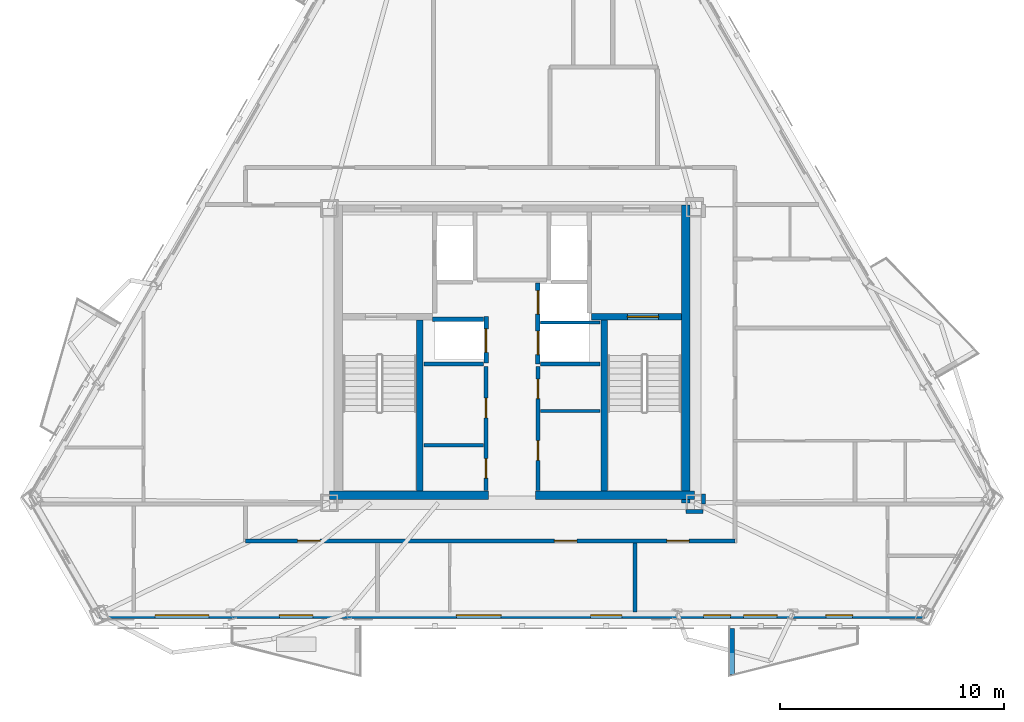
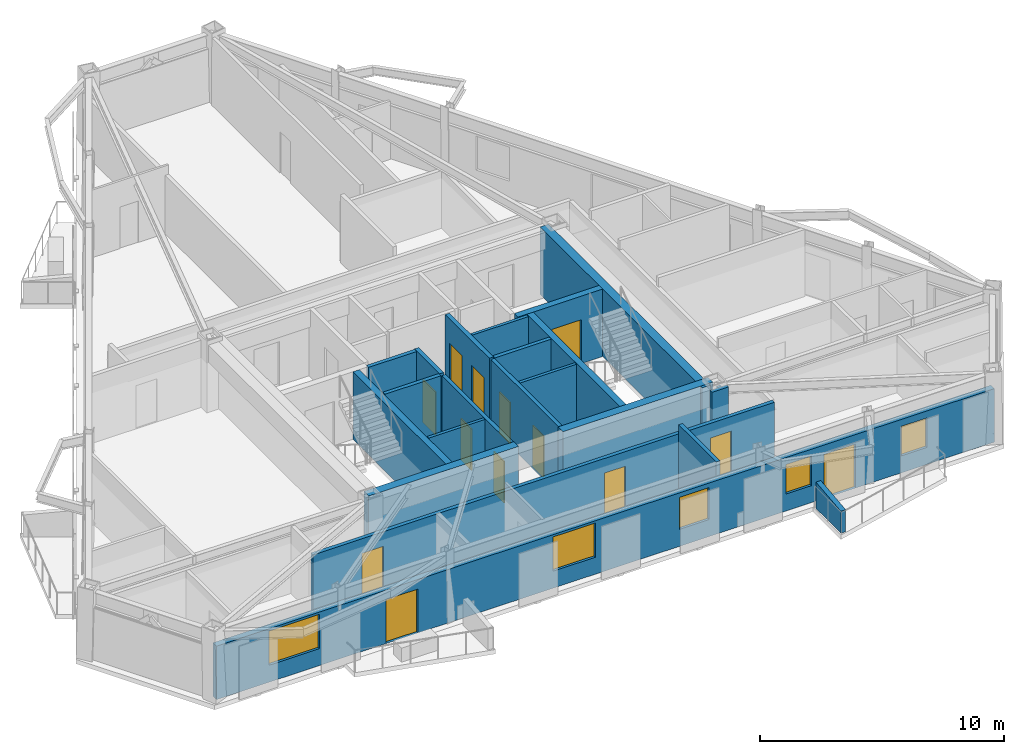
# One storey, part 3 of 9: 22 walls, 13 doors, 5 windows, 18 openings.
"""IFC4 building model written with IfcOpenShell, lengths in metres."""

from ifc_helpers import new_model, si_unit, direction, frame, frame_2d, origin, place, context, subcontext, project, spatial, polyline, rectangle, outline, extrude, material, layer, layer_set, type_object, element, fill, save


model = new_model("IFC4")

# Units and contexts
model_context = context("Model", 3, precision=1e-05, world=origin(), true_north=direction((0.0, 1.0)))
body_context = subcontext(model_context, "Body", "Model", "MODEL_VIEW")
ifc_project = project(units=[si_unit("LENGTHUNIT", "METRE"), si_unit("AREAUNIT", "SQUARE_METRE"), si_unit("VOLUMEUNIT", "CUBIC_METRE"), si_unit("PLANEANGLEUNIT", "RADIAN"), si_unit("MASSUNIT", "GRAM", prefix="KILO")], contexts=[model_context])

# Site, building, storey
site_placement = place(None, origin())
site = spatial("IfcSite", under=ifc_project, at=site_placement, CompositionType="ELEMENT")
building_placement = place(site_placement, origin())
building = spatial("IfcBuilding", under=site, at=building_placement, Name="Oramaril Tower", CompositionType="ELEMENT")
storey_placement = place(building_placement, frame((0.0, 0.0, 234.300048828125)))
storey = spatial("IfcBuildingStorey", under=building, at=storey_placement, Name="L62", CompositionType="ELEMENT", Elevation=234.300048828125)

# Wall, openings, doors, windows
ifc_material_1 = material(Name="Warm Cream Limestone", Category="masonry")
ifc_layer_1 = layer(ifc_material_1, 0.2900390625)
ifc_layer_set_1 = layer_set([ifc_layer_1], Name="WT-EXT29")
wall_type_1 = type_object("IfcWallType", Name="WT-EXT29", PredefinedType="SOLIDWALL", material=ifc_layer_set_1)
wall_1_placement = place(storey_placement, frame((19.076171875, 5.978515625, 0.0), z_axis=(0.0, 0.0, 1.0), x_axis=(1.0, 0.0, 0.0)))
wall_1 = element("IfcWall", 1, at=wall_1_placement, inside=storey, type_object=wall_type_1, Name="L62 Tower Limestone Facade Wall 2M", PredefinedType="SOLIDWALL", context=body_context, shape_type="SweptSolid", body=[
    extrude(rectangle(XDim=36.84765625, YDim=0.2900390625, at=frame_2d((18.423828125, 0.0))), origin(), (0.0, 0.0, 1.0), 2.677001953125),
])
opening_1_placement = place(wall_1_placement, frame((8.034423828125, 0.0, 0.0)))
opening_1 = element("IfcOpeningElement", 2, at=opening_1_placement, cuts=wall_1, Name="Opening D-L62-BAL-S1", PredefinedType="OPENING", context=body_context, shape_type="SweptSolid", body=[
    extrude(rectangle(XDim=1.5, YDim=2.199951171875, at=frame_2d((0.75, 1.10009765625))), frame((0.0, 0.14501953125, 0.0), z_axis=(0.0, -1.0, 0.0), x_axis=(1.0, 0.0, 0.0)), (0.0, 0.0, 1.0), 0.2900390625),
])
opening_2_placement = place(wall_1_placement, frame((28.768310546875, 0.0, 0.0)))
opening_2 = element("IfcOpeningElement", 3, at=opening_2_placement, cuts=wall_1, Name="Opening D-L62-BAL-S2", PredefinedType="OPENING", context=body_context, shape_type="SweptSolid", body=[
    extrude(rectangle(XDim=1.5, YDim=2.199951171875, at=frame_2d((0.75, 1.10009765625))), frame((0.0, 0.14501953125, 0.0), z_axis=(0.0, -1.0, 0.0), x_axis=(1.0, 0.0, 0.0)), (0.0, 0.0, 1.0), 0.2900390625),
])
opening_3_placement = place(wall_1_placement, frame((2.4814453125, 0.0, 0.85009765625)))
opening_3 = element("IfcOpeningElement", 4, at=opening_3_placement, cuts=wall_1, Name="Opening WN-03", PredefinedType="OPENING", context=body_context, shape_type="SweptSolid", body=[
    extrude(rectangle(XDim=2.39990234375, YDim=1.717041015625, at=frame_2d((1.199951171875, 0.8583984375))), frame((0.0, 0.14501953125, 0.0), z_axis=(0.0, -1.0, 0.0), x_axis=(1.0, 0.0, 0.0)), (0.0, 0.0, 1.0), 0.2900390625),
])
opening_4_placement = place(wall_1_placement, frame((15.937744140625, 0.0, 0.85009765625)))
opening_4 = element("IfcOpeningElement", 5, at=opening_4_placement, cuts=wall_1, Name="Opening WN-05", PredefinedType="OPENING", context=body_context, shape_type="SweptSolid", body=[
    extrude(rectangle(XDim=2.0, YDim=1.717041015625, at=frame_2d((1.0, 0.8583984375))), frame((0.0, 0.14501953125, 0.0), z_axis=(0.0, -1.0, 0.0), x_axis=(1.0, 0.0, 0.0)), (0.0, 0.0, 1.0), 0.2900390625),
])
opening_5_placement = place(wall_1_placement, frame((21.929931640625, 0.0, 0.85009765625)))
opening_5 = element("IfcOpeningElement", 6, at=opening_5_placement, cuts=wall_1, Name="Opening WN-08", PredefinedType="OPENING", context=body_context, shape_type="SweptSolid", body=[
    extrude(rectangle(XDim=1.39990234375, YDim=1.60009765625, at=frame_2d((0.699951171875, 0.800048828125))), frame((0.0, 0.14501953125, 0.0), z_axis=(0.0, -1.0, 0.0), x_axis=(1.0, 0.0, 0.0)), (0.0, 0.0, 1.0), 0.2900390625),
])
opening_6_placement = place(wall_1_placement, frame((26.982177734375, 0.0, 0.85009765625)))
opening_6 = element("IfcOpeningElement", 7, at=opening_6_placement, cuts=wall_1, Name="Opening WN-09", PredefinedType="OPENING", context=body_context, shape_type="SweptSolid", body=[
    extrude(rectangle(XDim=1.199951171875, YDim=1.47998046875, at=frame_2d((0.60009765625, 0.739990234375))), frame((0.0, 0.14501953125, 0.0), z_axis=(0.0, -1.0, 0.0), x_axis=(1.0, 0.0, 0.0)), (0.0, 0.0, 1.0), 0.2900390625),
])
opening_7_placement = place(wall_1_placement, frame((32.44140625, 0.0, 0.85009765625)))
opening_7 = element("IfcOpeningElement", 8, at=opening_7_placement, cuts=wall_1, Name="Opening WN-09", PredefinedType="OPENING", context=body_context, shape_type="SweptSolid", body=[
    extrude(rectangle(XDim=1.199951171875, YDim=1.47998046875, at=frame_2d((0.60009765625, 0.739990234375))), frame((0.0, 0.14501953125, 0.0), z_axis=(0.0, -1.0, 0.0), x_axis=(1.0, 0.0, 0.0)), (0.0, 0.0, 1.0), 0.2900390625),
])
ifc_material_2 = material(Name="Anodised Aluminium 6063-T6", Category="aluminium")
door_type_1 = type_object("IfcDoorType", Name="DT-BAL", OperationType="NOTDEFINED", PredefinedType="DOOR", material=ifc_material_2)
door_1_placement = place(opening_1_placement, origin())
door_1 = element("IfcDoor", 9, at=door_1_placement, inside=storey, type_object=door_type_1, Name="L62 Balcony Glazed Door L62-BAL-S1", OperationType="SINGLE_SWING_LEFT", OverallHeight=2.199951171875, OverallWidth=1.5, PredefinedType="DOOR", context=body_context, shape_type="SweptSolid", body=[
    extrude(rectangle(XDim=1.5, YDim=2.199951171875, at=frame_2d((0.75, 1.10009765625))), frame((0.0, 0.02490234375, 0.0), z_axis=(0.0, -1.0, 0.0), x_axis=(1.0, 0.0, 0.0)), (0.0, 0.0, 1.0), 0.050048828125),
])
fill(opening_1, door_1)
door_2_placement = place(opening_2_placement, origin())
door_2 = element("IfcDoor", 10, at=door_2_placement, inside=storey, type_object=door_type_1, Name="L62 Balcony Glazed Door L62-BAL-S2", OperationType="SINGLE_SWING_RIGHT", OverallHeight=2.199951171875, OverallWidth=1.5, PredefinedType="DOOR", context=body_context, shape_type="SweptSolid", body=[
    extrude(rectangle(XDim=1.5, YDim=2.199951171875, at=frame_2d((0.75, 1.10009765625))), frame((0.0, 0.02490234375, 0.0), z_axis=(0.0, -1.0, 0.0), x_axis=(1.0, 0.0, 0.0)), (0.0, 0.0, 1.0), 0.050048828125),
])
fill(opening_2, door_2)
ifc_material_3 = material(Name="Coastal Low-E Insulated Glass", Category="glass")
window_type_1 = type_object("IfcWindowType", Name="WNT-03", PartitioningType="SINGLE_PANEL", PredefinedType="WINDOW", material=ifc_material_3)
window_1_placement = place(opening_3_placement, origin())
window_1 = element("IfcWindow", 11, at=window_1_placement, inside=storey, type_object=window_type_1, Name="L62 Chicago Bay Window WN-03", OverallHeight=1.717041015625, OverallWidth=2.39990234375, PartitioningType="SINGLE_PANEL", PredefinedType="WINDOW", context=body_context, shape_type="SweptSolid", body=[
    extrude(rectangle(XDim=2.39990234375, YDim=1.717041015625, at=frame_2d((1.199951171875, 0.8583984375))), frame((0.0, 0.030029296875, 0.0), z_axis=(0.0, -1.0, 0.0), x_axis=(1.0, 0.0, 0.0)), (0.0, 0.0, 1.0), 0.06005859375),
])
fill(opening_3, window_1)
ifc_material_4 = material(Name="Coastal Low-E Insulated Glass", Category="glass")
window_type_2 = type_object("IfcWindowType", Name="WNT-05", PartitioningType="SINGLE_PANEL", PredefinedType="WINDOW", material=ifc_material_4)
window_2_placement = place(opening_4_placement, origin())
window_2 = element("IfcWindow", 12, at=window_2_placement, inside=storey, type_object=window_type_2, Name="L62 Chicago Bay Window WN-05", OverallHeight=1.717041015625, OverallWidth=2.0, PartitioningType="SINGLE_PANEL", PredefinedType="WINDOW", context=body_context, shape_type="SweptSolid", body=[
    extrude(rectangle(XDim=2.0, YDim=1.717041015625, at=frame_2d((1.0, 0.8583984375))), frame((0.0, 0.030029296875, 0.0), z_axis=(0.0, -1.0, 0.0), x_axis=(1.0, 0.0, 0.0)), (0.0, 0.0, 1.0), 0.06005859375),
])
fill(opening_4, window_2)
ifc_material_5 = material(Name="Coastal Low-E Insulated Glass", Category="glass")
window_type_3 = type_object("IfcWindowType", Name="WNT-08", PartitioningType="SINGLE_PANEL", PredefinedType="WINDOW", material=ifc_material_5)
window_3_placement = place(opening_5_placement, origin())
window_3 = element("IfcWindow", 13, at=window_3_placement, inside=storey, type_object=window_type_3, Name="L62 Chicago Bay Window WN-08", OverallHeight=1.60009765625, OverallWidth=1.39990234375, PartitioningType="SINGLE_PANEL", PredefinedType="WINDOW", context=body_context, shape_type="SweptSolid", body=[
    extrude(rectangle(XDim=1.39990234375, YDim=1.60009765625, at=frame_2d((0.699951171875, 0.800048828125))), frame((0.0, 0.030029296875, 0.0), z_axis=(0.0, -1.0, 0.0), x_axis=(1.0, 0.0, 0.0)), (0.0, 0.0, 1.0), 0.06005859375),
])
fill(opening_5, window_3)
ifc_material_6 = material(Name="Coastal Low-E Insulated Glass", Category="glass")
window_type_4 = type_object("IfcWindowType", Name="WNT-09", PartitioningType="SINGLE_PANEL", PredefinedType="WINDOW", material=ifc_material_6)
window_4_placement = place(opening_6_placement, origin())
window_4 = element("IfcWindow", 14, at=window_4_placement, inside=storey, type_object=window_type_4, Name="L62 Chicago Bay Window WN-09", OverallHeight=1.47998046875, OverallWidth=1.199951171875, PartitioningType="SINGLE_PANEL", PredefinedType="WINDOW", context=body_context, shape_type="SweptSolid", body=[
    extrude(rectangle(XDim=1.199951171875, YDim=1.47998046875, at=frame_2d((0.60009765625, 0.739990234375))), frame((0.0, 0.030029296875, 0.0), z_axis=(0.0, -1.0, 0.0), x_axis=(1.0, 0.0, 0.0)), (0.0, 0.0, 1.0), 0.06005859375),
])
fill(opening_6, window_4)
window_5_placement = place(opening_7_placement, origin())
window_5 = element("IfcWindow", 15, at=window_5_placement, inside=storey, type_object=window_type_4, Name="L62 Chicago Bay Window WN-09", OverallHeight=1.47998046875, OverallWidth=1.199951171875, PartitioningType="SINGLE_PANEL", PredefinedType="WINDOW", context=body_context, shape_type="SweptSolid", body=[
    extrude(rectangle(XDim=1.199951171875, YDim=1.47998046875, at=frame_2d((0.60009765625, 0.739990234375))), frame((0.0, 0.030029296875, 0.0), z_axis=(0.0, -1.0, 0.0), x_axis=(1.0, 0.0, 0.0)), (0.0, 0.0, 1.0), 0.06005859375),
])
fill(opening_7, window_5)

# Walls
ifc_material_7 = material(Name="Concrete C40/50", Category="concrete")
ifc_layer_2 = layer(ifc_material_7, 0.22998046875)
ifc_layer_set_2 = layer_set([ifc_layer_2], Name="WT-PRP23")
wall_type_2 = type_object("IfcWallType", Name="WT-PRP23", PredefinedType="PARAPET", material=ifc_layer_set_2)
wall_2_placement = place(storey_placement, frame((47.319580078125, 5.38037109375, 0.0), z_axis=(0.0, 0.0, 1.0), x_axis=(0.0, -1.0, 0.0)))
element("IfcWall", 16, at=wall_2_placement, inside=storey, type_object=wall_type_2, Name="L62 Trapezoidal Balcony Frame Cheek L62-BAL-S2-L", PredefinedType="PARAPET", context=body_context, shape_type="SweptSolid", body=[
    extrude(outline(polyline([(0.0, 0.0), (2.0419921875, 0.0), (2.0419921875, 1.099853515625), (0.0, 1.320068359375), (0.0, 0.0)])), frame((0.0, 0.114990234375, 0.0), z_axis=(0.0, -1.0, 0.0), x_axis=(1.0, 0.0, 0.0)), (0.0, 0.0, 1.0), 0.22998046875),
])
ifc_material_8 = material(Name="Acoustic Gypsum Board Partition")
ifc_layer_3 = layer(ifc_material_8, 0.139892578125)
ifc_layer_set_3 = layer_set([ifc_layer_3], Name="WT-PT14")
wall_type_3 = type_object("IfcWallType", Name="WT-PT14", PredefinedType="PARTITIONING", material=ifc_layer_set_3)
for number, where, z_axis, x_axis, name in (
    (17, (33.56005859375, 13.570068359375, 0.0), (0.0, 0.0, 1.0), (1.0, 0.0, 0.0), "L62 Freed Shaft Divider"),
    (18, (38.780029296875, 19.050048828125, 0.0), (0.0, 0.0, 1.0), (1.0, 0.0, 0.0), "L62 High-Rise Lift H2-H3 Divider"),
    (19, (38.780029296875, 15.110107421875, 0.0), (0.0, 0.0, 1.0), (1.0, 0.0, 0.0), "L62 Freed Shaft Divider"),
):
    element("IfcWall", number, at=place(storey_placement, frame(where, z_axis=z_axis, x_axis=x_axis)), inside=storey, type_object=wall_type_3, Name=name, PredefinedType="PARTITIONING", context=body_context, shape_type="SweptSolid", body=[
        extrude(rectangle(XDim=2.659912109375, YDim=0.139892578125, at=frame_2d((1.330078125, 0.0))), origin(), (0.0, 0.0, 1.0), 3.3798828125),
    ])
ifc_material_9 = material(Name="Autoclaved Cellular Concrete Block", Category="concrete")
ifc_layer_4 = layer(ifc_material_9, 0.179931640625)
ifc_layer_set_4 = layer_set([ifc_layer_4], Name="WT-PT18")
wall_type_4 = type_object("IfcWallType", Name="WT-PT18", PredefinedType="PARTITIONING", material=ifc_layer_set_4)
wall_3_placement = place(storey_placement, frame((33.949951171875, 19.199951171875, 0.0), z_axis=(0.0, 0.0, 1.0), x_axis=(1.0, 0.0, 0.0)))
element("IfcWall", 20, at=wall_3_placement, inside=storey, type_object=wall_type_4, Name="L62 High-Rise Lift H1 North Shaft Wall", PredefinedType="PARTITIONING", context=body_context, shape_type="SweptSolid", body=[
    extrude(rectangle(XDim=2.27001953125, YDim=0.179931640625, at=frame_2d((1.135009765625, 0.0))), origin(), (0.0, 0.0, 1.0), 3.3798828125),
])
wall_4_placement = place(storey_placement, frame((33.56005859375, 17.199951171875, 0.0), z_axis=(0.0, 0.0, 1.0), x_axis=(1.0, 0.0, 0.0)))
element("IfcWall", 21, at=wall_4_placement, inside=storey, type_object=wall_type_4, Name="L62 High-Rise Lift H1 South Wall", PredefinedType="PARTITIONING", context=body_context, shape_type="SweptSolid", body=[
    extrude(rectangle(XDim=2.659912109375, YDim=0.179931640625, at=frame_2d((1.330078125, 0.0))), origin(), (0.0, 0.0, 1.0), 3.3798828125),
])

# Wall, openings, doors
wall_5_placement = place(storey_placement, frame((36.340087890625, 11.550048828125, 0.0), z_axis=(0.0, 0.0, 1.0), x_axis=(0.0, 1.0, 0.0)))
wall_5 = element("IfcWall", 22, at=wall_5_placement, inside=storey, type_object=wall_type_4, Name="L62 Freed Shaft Study East Wall", PredefinedType="PARTITIONING", context=body_context, shape_type="SweptSolid", body=[
    extrude(rectangle(XDim=5.550048828125, YDim=0.179931640625, at=frame_2d((2.77490234375, 0.0))), origin(), (0.0, 0.0, 1.0), 3.3798828125),
])
opening_8_placement = place(wall_5_placement, frame((0.550048828125, 0.0, 0.0)))
opening_8 = element("IfcOpeningElement", 23, at=opening_8_placement, cuts=wall_5, Name="Opening D-L62-FL1", PredefinedType="OPENING", context=body_context, shape_type="SweptSolid", body=[
    extrude(rectangle(XDim=0.8798828125, YDim=2.080078125, at=frame_2d((0.43994140625, 1.0400390625))), frame((0.0, 0.08984375, 0.0), z_axis=(0.0, -1.0, 0.0), x_axis=(1.0, 0.0, 0.0)), (0.0, 0.0, 1.0), 0.179931640625),
])
opening_9_placement = place(wall_5_placement, frame((3.25, 0.0, 0.0)))
opening_9 = element("IfcOpeningElement", 24, at=opening_9_placement, cuts=wall_5, Name="Opening D-L62-FL2", PredefinedType="OPENING", context=body_context, shape_type="SweptSolid", body=[
    extrude(rectangle(XDim=0.8798828125, YDim=2.080078125, at=frame_2d((0.43994140625, 1.0400390625))), frame((0.0, 0.08984375, 0.0), z_axis=(0.0, -1.0, 0.0), x_axis=(1.0, 0.0, 0.0)), (0.0, 0.0, 1.0), 0.179931640625),
])
ifc_material_10 = material(Name="FSC Brazilian Freijo Hardwood", Category="wood")
door_type_2 = type_object("IfcDoorType", Name="DT-BATH", OperationType="NOTDEFINED", PredefinedType="DOOR", material=ifc_material_10)
door_3_placement = place(opening_8_placement, origin())
door_3 = element("IfcDoor", 25, at=door_3_placement, inside=storey, type_object=door_type_2, Name="L62 L62 Residents Tasting Dining Nook Door", OperationType="SINGLE_SWING_LEFT", OverallHeight=2.080078125, OverallWidth=0.8798828125, PredefinedType="DOOR", context=body_context, shape_type="SweptSolid", body=[
    extrude(rectangle(XDim=0.8798828125, YDim=2.080078125, at=frame_2d((0.43994140625, 1.0400390625))), frame((0.0, 0.02490234375, 0.0), z_axis=(0.0, -1.0, 0.0), x_axis=(1.0, 0.0, 0.0)), (0.0, 0.0, 1.0), 0.050048828125),
])
fill(opening_8, door_3)
door_4_placement = place(opening_9_placement, origin())
door_4 = element("IfcDoor", 26, at=door_4_placement, inside=storey, type_object=door_type_2, Name="L62 L62 Floor Co-Work Office Door", OperationType="SINGLE_SWING_RIGHT", OverallHeight=2.080078125, OverallWidth=0.8798828125, PredefinedType="DOOR", context=body_context, shape_type="SweptSolid", body=[
    extrude(rectangle(XDim=0.8798828125, YDim=2.080078125, at=frame_2d((0.43994140625, 1.0400390625))), frame((0.0, 0.02490234375, 0.0), z_axis=(0.0, -1.0, 0.0), x_axis=(1.0, 0.0, 0.0)), (0.0, 0.0, 1.0), 0.050048828125),
])
fill(opening_9, door_4)

# Wall
wall_6_placement = place(storey_placement, frame((38.780029296875, 17.199951171875, 0.0), z_axis=(0.0, 0.0, 1.0), x_axis=(1.0, 0.0, 0.0)))
element("IfcWall", 27, at=wall_6_placement, inside=storey, type_object=wall_type_4, Name="L62 High-Rise Lift H2 South Wall", PredefinedType="PARTITIONING", context=body_context, shape_type="SweptSolid", body=[
    extrude(rectangle(XDim=2.659912109375, YDim=0.179931640625, at=frame_2d((1.330078125, 0.0))), origin(), (0.0, 0.0, 1.0), 3.3798828125),
])

# Wall, openings, doors
wall_7_placement = place(storey_placement, frame((38.659912109375, 11.550048828125, 0.0), z_axis=(0.0, 0.0, 1.0), x_axis=(0.0, 1.0, 0.0)))
wall_7 = element("IfcWall", 28, at=wall_7_placement, inside=storey, type_object=wall_type_4, Name="L62 Freed Shaft Alcove West Wall", PredefinedType="PARTITIONING", context=body_context, shape_type="SweptSolid", body=[
    extrude(rectangle(XDim=5.550048828125, YDim=0.179931640625, at=frame_2d((2.77490234375, 0.0))), origin(), (0.0, 0.0, 1.0), 3.3798828125),
])
opening_10_placement = place(wall_7_placement, frame((1.35009765625, 0.0, 0.0)))
opening_10 = element("IfcOpeningElement", 29, at=opening_10_placement, cuts=wall_7, Name="Opening D-L62-FM1", PredefinedType="OPENING", context=body_context, shape_type="SweptSolid", body=[
    extrude(rectangle(XDim=0.8798828125, YDim=2.080078125, at=frame_2d((0.43994140625, 1.0400390625))), frame((0.0, 0.08984375, 0.0), z_axis=(0.0, -1.0, 0.0), x_axis=(1.0, 0.0, 0.0)), (0.0, 0.0, 1.0), 0.179931640625),
])
opening_11_placement = place(wall_7_placement, frame((4.10009765625, 0.0, 0.0)))
opening_11 = element("IfcOpeningElement", 30, at=opening_11_placement, cuts=wall_7, Name="Opening D-L62-FM2", PredefinedType="OPENING", context=body_context, shape_type="SweptSolid", body=[
    extrude(rectangle(XDim=0.8798828125, YDim=2.080078125, at=frame_2d((0.43994140625, 1.0400390625))), frame((0.0, 0.08984375, 0.0), z_axis=(0.0, -1.0, 0.0), x_axis=(1.0, 0.0, 0.0)), (0.0, 0.0, 1.0), 0.179931640625),
])
door_5_placement = place(opening_10_placement, origin())
door_5 = element("IfcDoor", 31, at=door_5_placement, inside=storey, type_object=door_type_2, Name="L62 L62 Private Home Office Door", OperationType="SINGLE_SWING_RIGHT", OverallHeight=2.080078125, OverallWidth=0.8798828125, PredefinedType="DOOR", context=body_context, shape_type="SweptSolid", body=[
    extrude(rectangle(XDim=0.8798828125, YDim=2.080078125, at=frame_2d((0.43994140625, 1.0400390625))), frame((0.0, 0.02490234375, 0.0), z_axis=(0.0, -1.0, 0.0), x_axis=(1.0, 0.0, 0.0)), (0.0, 0.0, 1.0), 0.050048828125),
])
fill(opening_10, door_5)
door_6_placement = place(opening_11_placement, origin())
door_6 = element("IfcDoor", 32, at=door_6_placement, inside=storey, type_object=door_type_2, Name="L62 L62 Sky Tea Dining Alcove Door", OperationType="SINGLE_SWING_LEFT", OverallHeight=2.080078125, OverallWidth=0.8798828125, PredefinedType="DOOR", context=body_context, shape_type="SweptSolid", body=[
    extrude(rectangle(XDim=0.8798828125, YDim=2.080078125, at=frame_2d((0.43994140625, 1.0400390625))), frame((0.0, 0.02490234375, 0.0), z_axis=(0.0, -1.0, 0.0), x_axis=(1.0, 0.0, 0.0)), (0.0, 0.0, 1.0), 0.050048828125),
])
fill(opening_11, door_6)

wall_8_placement = place(storey_placement, frame((25.60009765625, 9.300048828125, 0.0), z_axis=(0.0, 0.0, 1.0), x_axis=(1.0, 0.0, 0.0)))
wall_8 = element("IfcWall", 33, at=wall_8_placement, inside=storey, type_object=wall_type_4, Name="L62 Interior Partition PT-18", PredefinedType="PARTITIONING", context=body_context, shape_type="SweptSolid", body=[
    extrude(rectangle(XDim=21.849853515625, YDim=0.179931640625, at=frame_2d((10.9248046875, 0.0))), origin(), (0.0, 0.0, 1.0), 2.912841796875),
])
opening_12_placement = place(wall_8_placement, frame((2.3251953125, 0.0, 0.0)))
opening_12 = element("IfcOpeningElement", 34, at=opening_12_placement, cuts=wall_8, Name="Opening D-L62-01", PredefinedType="OPENING", context=body_context, shape_type="SweptSolid", body=[
    extrude(rectangle(XDim=1.0, YDim=2.179931640625, at=frame_2d((0.5, 1.08984375))), frame((0.0, 0.08984375, 0.0), z_axis=(0.0, -1.0, 0.0), x_axis=(1.0, 0.0, 0.0)), (0.0, 0.0, 1.0), 0.179931640625),
])
opening_13_placement = place(wall_8_placement, frame((13.793212890625, 0.0, 0.0)))
opening_13 = element("IfcOpeningElement", 35, at=opening_13_placement, cuts=wall_8, Name="Opening D-L62-02", PredefinedType="OPENING", context=body_context, shape_type="SweptSolid", body=[
    extrude(rectangle(XDim=1.0, YDim=2.179931640625, at=frame_2d((0.5, 1.08984375))), frame((0.0, 0.08984375, 0.0), z_axis=(0.0, -1.0, 0.0), x_axis=(1.0, 0.0, 0.0)), (0.0, 0.0, 1.0), 0.179931640625),
])
opening_14_placement = place(wall_8_placement, frame((18.81201171875, 0.0, 0.0)))
opening_14 = element("IfcOpeningElement", 36, at=opening_14_placement, cuts=wall_8, Name="Opening D-L62-03", PredefinedType="OPENING", context=body_context, shape_type="SweptSolid", body=[
    extrude(rectangle(XDim=1.0, YDim=2.179931640625, at=frame_2d((0.5, 1.08984375))), frame((0.0, 0.08984375, 0.0), z_axis=(0.0, -1.0, 0.0), x_axis=(1.0, 0.0, 0.0)), (0.0, 0.0, 1.0), 0.179931640625),
])
ifc_material_11 = material(Name="FSC Brazilian Freijo Hardwood", Category="wood")
door_type_3 = type_object("IfcDoorType", Name="DT-APT", OperationType="NOTDEFINED", PredefinedType="DOOR", material=ifc_material_11)
door_7_placement = place(opening_12_placement, origin())
door_7 = element("IfcDoor", 37, at=door_7_placement, inside=storey, type_object=door_type_3, Name="L62 Flat L62-U1 Kitchen and Studio Apartment Door D-L62-01", OperationType="SINGLE_SWING_LEFT", OverallHeight=2.179931640625, OverallWidth=1.0, PredefinedType="DOOR", context=body_context, shape_type="SweptSolid", body=[
    extrude(rectangle(XDim=1.0, YDim=2.179931640625, at=frame_2d((0.5, 1.08984375))), frame((0.0, 0.02490234375, 0.0), z_axis=(0.0, -1.0, 0.0), x_axis=(1.0, 0.0, 0.0)), (0.0, 0.0, 1.0), 0.050048828125),
])
fill(opening_12, door_7)
door_8_placement = place(opening_13_placement, origin())
door_8 = element("IfcDoor", 38, at=door_8_placement, inside=storey, type_object=door_type_3, Name="L62 Flat L62-U2 Kitchen and Studio Apartment Door D-L62-02", OperationType="SINGLE_SWING_RIGHT", OverallHeight=2.179931640625, OverallWidth=1.0, PredefinedType="DOOR", context=body_context, shape_type="SweptSolid", body=[
    extrude(rectangle(XDim=1.0, YDim=2.179931640625, at=frame_2d((0.5, 1.08984375))), frame((0.0, 0.02490234375, 0.0), z_axis=(0.0, -1.0, 0.0), x_axis=(1.0, 0.0, 0.0)), (0.0, 0.0, 1.0), 0.050048828125),
])
fill(opening_13, door_8)
door_9_placement = place(opening_14_placement, origin())
door_9 = element("IfcDoor", 39, at=door_9_placement, inside=storey, type_object=door_type_3, Name="L62 Flat L62-U3 Studio Apartment Door D-L62-03", OperationType="SINGLE_SWING_LEFT", OverallHeight=2.179931640625, OverallWidth=1.0, PredefinedType="DOOR", context=body_context, shape_type="SweptSolid", body=[
    extrude(rectangle(XDim=1.0, YDim=2.179931640625, at=frame_2d((0.5, 1.08984375))), frame((0.0, 0.02490234375, 0.0), z_axis=(0.0, -1.0, 0.0), x_axis=(1.0, 0.0, 0.0)), (0.0, 0.0, 1.0), 0.050048828125),
])
fill(opening_14, door_9)

# Walls
wall_9_placement = place(storey_placement, frame((45.260009765625, 10.610107421875, 0.0), z_axis=(0.0, 0.0, 1.0), x_axis=(1.0, 0.0, 0.0)))
element("IfcWall", 40, at=wall_9_placement, inside=storey, type_object=wall_type_4, Name="L62 Interior Partition PT-18", PredefinedType="PARTITIONING", context=body_context, shape_type="SweptSolid", body=[
    extrude(rectangle(XDim=0.780029296875, YDim=0.179931640625, at=frame_2d((0.39013671875, 0.0))), origin(), (0.0, 0.0, 1.0), 3.3798828125),
])
wall_10_placement = place(storey_placement, frame((43.0, 6.12744140625, 0.0), z_axis=(0.0, 0.0, 1.0), x_axis=(0.0, 1.0, 0.0)))
element("IfcWall", 41, at=wall_10_placement, inside=storey, type_object=wall_type_4, Name="L62 Interior Partition PT-18", PredefinedType="PARTITIONING", context=body_context, shape_type="SweptSolid", body=[
    extrude(rectangle(XDim=3.07861328125, YDim=0.179931640625, at=frame_2d((1.539306640625, 0.0))), origin(), (0.0, 0.0, 1.0), 3.3798828125),
])
wall_11_placement = place(storey_placement, frame((46.050048828125, 10.949951171875, 0.0), z_axis=(0.0, 0.0, 1.0), x_axis=(0.0, 1.0, 0.0)))
element("IfcWall", 42, at=wall_11_placement, inside=storey, type_object=wall_type_4, Name="L62 Interior Partition PT-18", PredefinedType="PARTITIONING", context=body_context, shape_type="SweptSolid", body=[
    extrude(rectangle(XDim=0.445068359375, YDim=0.179931640625, at=frame_2d((0.22265625, 0.0))), origin(), (0.0, 0.0, 1.0), 2.912841796875),
])

# Wall, opening, door
ifc_material_12 = material(Name="Concrete C50/60", Category="concrete")
ifc_layer_5 = layer(ifc_material_12, 0.300048828125)
ifc_layer_set_5 = layer_set([ifc_layer_5], Name="WT-SH30")
wall_type_5 = type_object("IfcWallType", Name="WT-SH30", PredefinedType="SHEAR", material=ifc_layer_set_5)
wall_12_placement = place(storey_placement, frame((41.050048828125, 19.31005859375, 0.0), z_axis=(0.0, 0.0, 1.0), x_axis=(1.0, 0.0, 0.0)))
wall_12 = element("IfcWall", 43, at=wall_12_placement, inside=storey, type_object=wall_type_5, Name="L62 Core Shear Wall CW-ST2N", PredefinedType="SHEAR", context=body_context, shape_type="SweptSolid", body=[
    extrude(rectangle(XDim=4.010009765625, YDim=0.300048828125, at=frame_2d((2.0048828125, 0.0))), origin(), (0.0, 0.0, 1.0), 3.3798828125),
])
opening_15_placement = place(wall_12_placement, frame((1.60009765625, 0.0, 0.0)))
opening_15 = element("IfcOpeningElement", 44, at=opening_15_placement, cuts=wall_12, Name="Opening D-L62-ST2", PredefinedType="OPENING", context=body_context, shape_type="SweptSolid", body=[
    extrude(rectangle(XDim=1.39990234375, YDim=2.199951171875, at=frame_2d((0.699951171875, 1.10009765625))), frame((0.0, 0.14990234375, 0.0), z_axis=(0.0, -1.0, 0.0), x_axis=(1.0, 0.0, 0.0)), (0.0, 0.0, 1.0), 0.300048828125),
])
ifc_material_13 = material(Name="Painted Galvanised Steel", Category="steel")
door_type_4 = type_object("IfcDoorType", Name="DT-ST", OperationType="NOTDEFINED", PredefinedType="DOOR", material=ifc_material_13)
door_10_placement = place(opening_15_placement, origin())
door_10 = element("IfcDoor", 45, at=door_10_placement, inside=storey, type_object=door_type_4, Name="L62 Protected Stair ST-2 Fire Door", OperationType="SINGLE_SWING_RIGHT", OverallHeight=2.199951171875, OverallWidth=1.39990234375, PredefinedType="DOOR", context=body_context, shape_type="SweptSolid", body=[
    extrude(rectangle(XDim=1.39990234375, YDim=2.199951171875, at=frame_2d((0.699951171875, 1.10009765625))), frame((0.0, 0.02490234375, 0.0), z_axis=(0.0, -1.0, 0.0), x_axis=(1.0, 0.0, 0.0)), (0.0, 0.0, 1.0), 0.050048828125),
])
fill(opening_15, door_10)

# Walls
for number, where, z_axis, x_axis, name in (
    (46, (33.3798828125, 11.5400390625, 0.0), (0.0, 0.0, 1.0), (0.0, 1.0, 0.0), "L62 Core Shear Wall CW-ST1E"),
    (47, (41.6201171875, 11.5400390625, 0.0), (0.0, 0.0, 1.0), (0.0, 1.0, 0.0), "L62 Core Shear Wall CW-ST2W"),
):
    element("IfcWall", number, at=place(storey_placement, frame(where, z_axis=z_axis, x_axis=x_axis)), inside=storey, type_object=wall_type_5, Name=name, PredefinedType="SHEAR", context=body_context, shape_type="SweptSolid", body=[
        extrude(rectangle(XDim=7.619873046875, YDim=0.300048828125, at=frame_2d((3.81005859375, 0.0))), origin(), (0.0, 0.0, 1.0), 3.3798828125),
    ])
ifc_material_14 = material(Name="Concrete C50/60", Category="concrete")
ifc_layer_6 = layer(ifc_material_14, 0.39990234375)
ifc_layer_set_6 = layer_set([ifc_layer_6], Name="WT-SH40")
wall_type_6 = type_object("IfcWallType", Name="WT-SH40", PredefinedType="SHEAR", material=ifc_layer_set_6)
wall_13_placement = place(storey_placement, frame((45.260009765625, 11.0, 0.0), z_axis=(0.0, 0.0, 1.0), x_axis=(0.0, 1.0, 0.0)))
element("IfcWall", 48, at=wall_13_placement, inside=storey, type_object=wall_type_6, Name="L62 Core Shear Wall CW-E", PredefinedType="SHEAR", context=body_context, shape_type="SweptSolid", body=[
    extrude(rectangle(XDim=13.300048828125, YDim=0.39990234375, at=frame_2d((6.64990234375, 0.0))), origin(), (0.0, 0.0, 1.0), 3.3798828125),
])
for number, where, z_axis, x_axis, name in (
    (49, (29.35009765625, 11.340087890625, 0.0), (0.0, 0.0, 1.0), (1.0, 0.0, 0.0), "L62 Core Shear Wall CW-SW"),
    (50, (38.550048828125, 11.340087890625, 0.0), (0.0, 0.0, 1.0), (1.0, 0.0, 0.0), "L62 Core Shear Wall CW-SE"),
):
    element("IfcWall", number, at=place(storey_placement, frame(where, z_axis=z_axis, x_axis=x_axis)), inside=storey, type_object=wall_type_6, Name=name, PredefinedType="SHEAR", context=body_context, shape_type="SweptSolid", body=[
        extrude(rectangle(XDim=7.099853515625, YDim=0.39990234375, at=frame_2d((3.5498046875, 0.0))), origin(), (0.0, 0.0, 1.0), 3.3798828125),
    ])

# Wall, opening, door
ifc_material_15 = material(Name="Autoclaved Cellular Concrete Block", Category="concrete")
ifc_layer_7 = layer(ifc_material_15, 0.199951171875)
ifc_layer_set_7 = layer_set([ifc_layer_7], Name="WT-SHF20")
wall_type_7 = type_object("IfcWallType", Name="WT-SHF20", PredefinedType="PARTITIONING", material=ifc_layer_set_7)
wall_14_placement = place(storey_placement, frame((36.340087890625, 17.25, 0.0), z_axis=(0.0, 0.0, 1.0), x_axis=(0.0, 1.0, 0.0)))
wall_14 = element("IfcWall", 51, at=wall_14_placement, inside=storey, type_object=wall_type_7, Name="L62 High-Rise Lift H1 Front Wall", PredefinedType="PARTITIONING", context=body_context, shape_type="SweptSolid", body=[
    extrude(rectangle(XDim=2.070068359375, YDim=0.199951171875, at=frame_2d((1.03515625, 0.0))), origin(), (0.0, 0.0, 1.0), 3.3798828125),
])
opening_16_placement = place(wall_14_placement, frame((0.47509765625, 0.0, 0.0)))
opening_16 = element("IfcOpeningElement", 52, at=opening_16_placement, cuts=wall_14, Name="Opening LD-L62-LP-H1", PredefinedType="OPENING", context=body_context, shape_type="SweptSolid", body=[
    extrude(rectangle(XDim=1.050048828125, YDim=2.14990234375, at=frame_2d((0.52490234375, 1.074951171875))), frame((0.0, 0.10009765625, 0.0), z_axis=(0.0, -1.0, 0.0), x_axis=(1.0, 0.0, 0.0)), (0.0, 0.0, 1.0), 0.199951171875),
])
ifc_material_16 = material(Name="Stainless Steel 316L", Category="steel")
door_type_5 = type_object("IfcDoorType", Name="DT-LD2", OperationType="NOTDEFINED", PredefinedType="DOOR", material=ifc_material_16)
door_11_placement = place(opening_16_placement, origin())
door_11 = element("IfcDoor", 53, at=door_11_placement, inside=storey, type_object=door_type_5, Name="L62 Lift LP-H1 Sliding Landing Door", OperationType="SLIDING_TO_LEFT", OverallHeight=2.14990234375, OverallWidth=1.050048828125, PredefinedType="DOOR", context=body_context, shape_type="SweptSolid", body=[
    extrude(rectangle(XDim=1.050048828125, YDim=2.14990234375, at=frame_2d((0.52490234375, 1.074951171875))), frame((0.0, 0.02490234375, 0.0), z_axis=(0.0, -1.0, 0.0), x_axis=(1.0, 0.0, 0.0)), (0.0, 0.0, 1.0), 0.050048828125),
])
fill(opening_16, door_11)

# Wall, openings, doors
wall_15_placement = place(storey_placement, frame((38.659912109375, 17.199951171875, 0.0), z_axis=(0.0, 0.0, 1.0), x_axis=(0.0, 1.0, 0.0)))
wall_15 = element("IfcWall", 54, at=wall_15_placement, inside=storey, type_object=wall_type_7, Name="L62 High-Rise Lift H2-H3 Front Wall", PredefinedType="PARTITIONING", context=body_context, shape_type="SweptSolid", body=[
    extrude(rectangle(XDim=3.6201171875, YDim=0.199951171875, at=frame_2d((1.81005859375, 0.0))), origin(), (0.0, 0.0, 1.0), 3.3798828125),
])
opening_17_placement = place(wall_15_placement, frame((0.425048828125, 0.0, 0.0)))
opening_17 = element("IfcOpeningElement", 55, at=opening_17_placement, cuts=wall_15, Name="Opening LD-L62-LP-H2", PredefinedType="OPENING", context=body_context, shape_type="SweptSolid", body=[
    extrude(rectangle(XDim=1.050048828125, YDim=2.14990234375, at=frame_2d((0.52490234375, 1.074951171875))), frame((0.0, 0.10009765625, 0.0), z_axis=(0.0, -1.0, 0.0), x_axis=(1.0, 0.0, 0.0)), (0.0, 0.0, 1.0), 0.199951171875),
])
opening_18_placement = place(wall_15_placement, frame((2.22509765625, 0.0, 0.0)))
opening_18 = element("IfcOpeningElement", 56, at=opening_18_placement, cuts=wall_15, Name="Opening LD-L62-LP-H3", PredefinedType="OPENING", context=body_context, shape_type="SweptSolid", body=[
    extrude(rectangle(XDim=1.050048828125, YDim=2.14990234375, at=frame_2d((0.52490234375, 1.074951171875))), frame((0.0, 0.10009765625, 0.0), z_axis=(0.0, -1.0, 0.0), x_axis=(1.0, 0.0, 0.0)), (0.0, 0.0, 1.0), 0.199951171875),
])
door_12_placement = place(opening_17_placement, origin())
door_12 = element("IfcDoor", 57, at=door_12_placement, inside=storey, type_object=door_type_5, Name="L62 Lift LP-H2 Sliding Landing Door", OperationType="SLIDING_TO_RIGHT", OverallHeight=2.14990234375, OverallWidth=1.050048828125, PredefinedType="DOOR", context=body_context, shape_type="SweptSolid", body=[
    extrude(rectangle(XDim=1.050048828125, YDim=2.14990234375, at=frame_2d((0.52490234375, 1.074951171875))), frame((0.0, 0.02490234375, 0.0), z_axis=(0.0, -1.0, 0.0), x_axis=(1.0, 0.0, 0.0)), (0.0, 0.0, 1.0), 0.050048828125),
])
fill(opening_17, door_12)
door_13_placement = place(opening_18_placement, origin())
door_13 = element("IfcDoor", 58, at=door_13_placement, inside=storey, type_object=door_type_5, Name="L62 Lift LP-H3 Sliding Landing Door", OperationType="SLIDING_TO_LEFT", OverallHeight=2.14990234375, OverallWidth=1.050048828125, PredefinedType="DOOR", context=body_context, shape_type="SweptSolid", body=[
    extrude(rectangle(XDim=1.050048828125, YDim=2.14990234375, at=frame_2d((0.52490234375, 1.074951171875))), frame((0.0, 0.02490234375, 0.0), z_axis=(0.0, -1.0, 0.0), x_axis=(1.0, 0.0, 0.0)), (0.0, 0.0, 1.0), 0.050048828125),
])
fill(opening_18, door_13)

save(model, "model.ifc")
